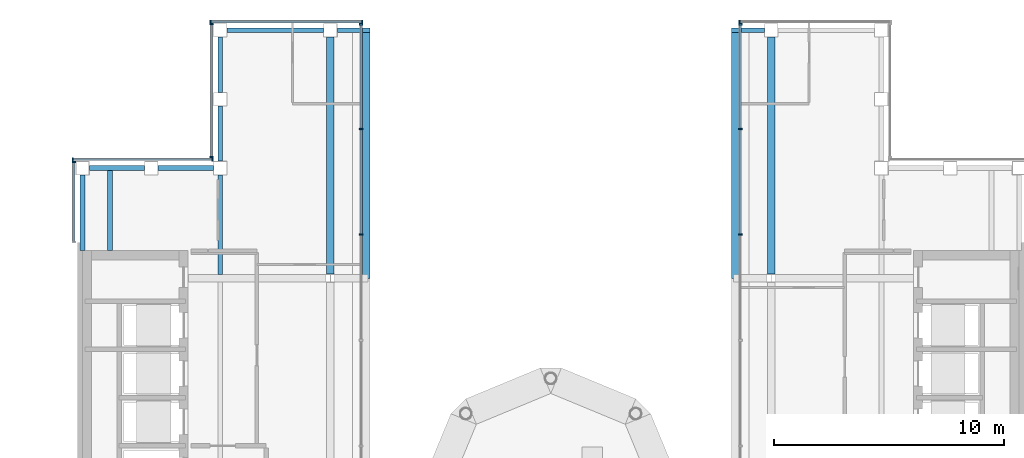
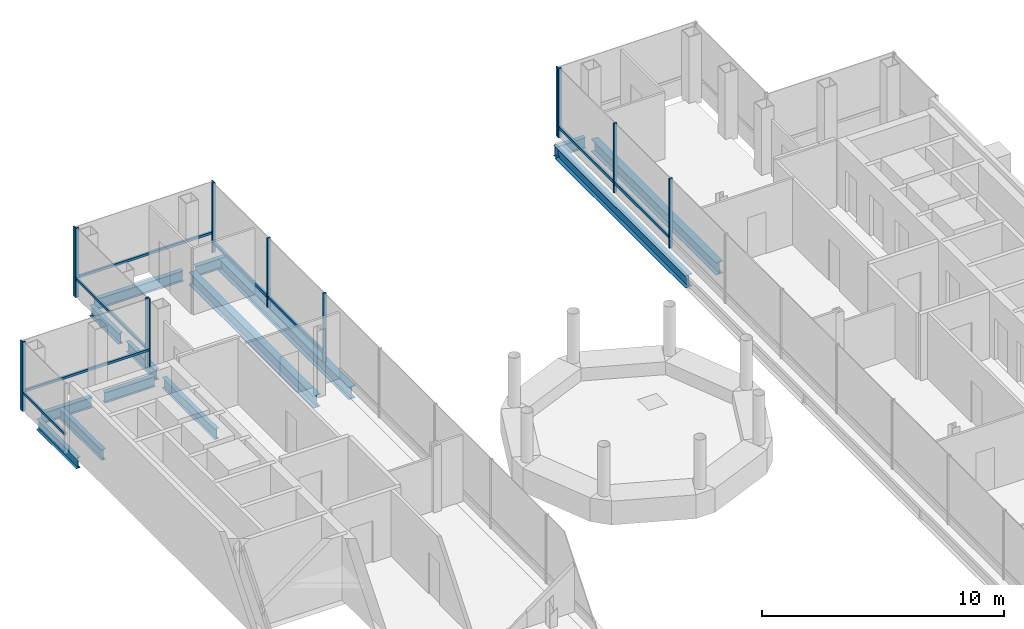
# One storey, part 8 of 16: 22 members, 14 beams, 7 elements without a shape of their own.
"""IFC4 building model written with IfcOpenShell, lengths in metres."""

from ifc_helpers import new_model, si_unit, direction, frame, origin, origin_2d, place, context, subcontext, project, spatial, rectangle, i_section, extrude, material, material_profile, profile_set, type_object, element, aggregate, save


model = new_model("IFC4")

# Units and contexts
model_context = context("Model", 3, precision=1e-05, world=origin(), true_north=direction((0.0, 1.0)))
body_context = subcontext(model_context, "Body", "Model", "MODEL_VIEW")
ifc_project = project(units=[si_unit("LENGTHUNIT", "METRE"), si_unit("AREAUNIT", "SQUARE_METRE"), si_unit("VOLUMEUNIT", "CUBIC_METRE"), si_unit("PLANEANGLEUNIT", "RADIAN"), si_unit("MASSUNIT", "GRAM", prefix="KILO")], contexts=[model_context])

# Site, building, storey
site_placement = place(None, origin())
site = spatial("IfcSite", under=ifc_project, at=site_placement, CompositionType="ELEMENT")
building_placement = place(site_placement, origin())
building = spatial("IfcBuilding", under=site, at=building_placement, Name="Cobrizo Arcos Hotel Tower", CompositionType="ELEMENT")
storey_placement = place(building_placement, frame((0.0, 0.0, 272.5)))
storey = spatial("IfcBuildingStorey", under=building, at=storey_placement, Name="L72", CompositionType="ELEMENT", Elevation=272.5)

# Curtain wall, member
ifc_material_1 = material(Name="Aluminium 6063-T6 anodised bronze", Category="aluminium")
curtain_wall_type_1 = type_object("IfcCurtainWallType", Name="CW-A guest facade", PredefinedType="NOTDEFINED", material=ifc_material_1)
curtain_wall_1_placement = place(storey_placement, origin())
curtain_wall_1 = element("IfcCurtainWall", 1, at=curtain_wall_1_placement, inside=storey, type_object=curtain_wall_type_1, Name="CW-A L72 N face", PredefinedType="NOTDEFINED")
ifc_material_profile_1 = material_profile(ifc_material_1, rectangle(XDim=0.14990234375, YDim=0.06005859375, at=origin_2d()), Name="CW-A mullion 150x60")
ifc_profile_set_1 = profile_set([ifc_material_profile_1], Name="Aluminium 6063-T6 anodised bronze")
member_type_1 = type_object("IfcMemberType", Name="CW-A mullion 150x60", PredefinedType="MULLION", material=ifc_profile_set_1)
member_1_placement = place(storey_placement, frame((8.215087890625, 20.77490234375, 0.0), z_axis=(0.0, 0.0, 1.0), x_axis=(0.0, 1.0, 0.0)))
member_1 = element("IfcMember", 2, at=member_1_placement, type_object=member_type_1, Name="CW-A mullion 2", PredefinedType="MULLION", context=body_context, shape_type="SweptSolid", body=[
    extrude(rectangle(XDim=0.14990234375, YDim=0.06005859375, at=origin_2d()), origin(), (0.0, 0.0, 1.0), 3.5),
])
aggregate(curtain_wall_1, [member_1])

# Curtain wall, members
curtain_wall_2_placement = place(storey_placement, origin())
curtain_wall_2 = element("IfcCurtainWall", 3, at=curtain_wall_2_placement, inside=storey, type_object=curtain_wall_type_1, Name="CW-A L72 N face", PredefinedType="NOTDEFINED")
member_2_placement = place(storey_placement, frame((-8.215087890625, 20.77490234375, 0.0), z_axis=(0.0, 0.0, 1.0), x_axis=(0.0, 1.0, 0.0)))
member_2 = element("IfcMember", 4, at=member_2_placement, type_object=member_type_1, Name="CW-A mullion 1", PredefinedType="MULLION", context=body_context, shape_type="SweptSolid", body=[
    extrude(rectangle(XDim=0.14990234375, YDim=0.06005859375, at=origin_2d()), origin(), (0.0, 0.0, 1.0), 3.5),
])
member_3_placement = place(storey_placement, frame((-14.820068359375, 20.77490234375, 0.0), z_axis=(0.0, 0.0, 1.0), x_axis=(0.0, 1.0, 0.0)))
member_3 = element("IfcMember", 5, at=member_3_placement, type_object=member_type_1, Name="CW-A mullion 2", PredefinedType="MULLION", context=body_context, shape_type="SweptSolid", body=[
    extrude(rectangle(XDim=0.14990234375, YDim=0.06005859375, at=origin_2d()), origin(), (0.0, 0.0, 1.0), 3.5),
])

curtain_wall_3_placement = place(storey_placement, origin())
curtain_wall_3 = element("IfcCurtainWall", 6, at=curtain_wall_3_placement, inside=storey, type_object=curtain_wall_type_1, Name="CW-A L72 W face", PredefinedType="NOTDEFINED")
member_4_placement = place(storey_placement, frame((-14.77490234375, 20.669921875, 0.0), z_axis=(0.0, 0.0, 1.0), x_axis=(-1.0, 0.0, 0.0)))
member_4 = element("IfcMember", 7, at=member_4_placement, type_object=member_type_1, Name="CW-A mullion 1", PredefinedType="MULLION", context=body_context, shape_type="SweptSolid", body=[
    extrude(rectangle(XDim=0.14990234375, YDim=0.06005859375, at=origin_2d()), origin(), (0.0, 0.0, 1.0), 3.5),
])
member_5_placement = place(storey_placement, frame((-14.77490234375, 14.8798828125, 0.0), z_axis=(0.0, 0.0, 1.0), x_axis=(-1.0, 0.0, 0.0)))
member_5 = element("IfcMember", 8, at=member_5_placement, type_object=member_type_1, Name="CW-A mullion 2", PredefinedType="MULLION", context=body_context, shape_type="SweptSolid", body=[
    extrude(rectangle(XDim=0.14990234375, YDim=0.06005859375, at=origin_2d()), origin(), (0.0, 0.0, 1.0), 3.5),
])

curtain_wall_4_placement = place(storey_placement, origin())
curtain_wall_4 = element("IfcCurtainWall", 9, at=curtain_wall_4_placement, inside=storey, type_object=curtain_wall_type_1, Name="CW-A L72 N face", PredefinedType="NOTDEFINED")
member_6_placement = place(storey_placement, frame((-14.72998046875, 14.77490234375, 0.0), z_axis=(0.0, 0.0, 1.0), x_axis=(0.0, 1.0, 0.0)))
member_6 = element("IfcMember", 10, at=member_6_placement, type_object=member_type_1, Name="CW-A mullion 1", PredefinedType="MULLION", context=body_context, shape_type="SweptSolid", body=[
    extrude(rectangle(XDim=0.14990234375, YDim=0.06005859375, at=origin_2d()), origin(), (0.0, 0.0, 1.0), 3.5),
])
member_7_placement = place(storey_placement, frame((-20.820068359375, 14.77490234375, 0.0), z_axis=(0.0, 0.0, 1.0), x_axis=(0.0, 1.0, 0.0)))
member_7 = element("IfcMember", 11, at=member_7_placement, type_object=member_type_1, Name="CW-A mullion 2", PredefinedType="MULLION", context=body_context, shape_type="SweptSolid", body=[
    extrude(rectangle(XDim=0.14990234375, YDim=0.06005859375, at=origin_2d()), origin(), (0.0, 0.0, 1.0), 3.5),
])

# Curtain wall, member
curtain_wall_5_placement = place(storey_placement, origin())
curtain_wall_5 = element("IfcCurtainWall", 12, at=curtain_wall_5_placement, inside=storey, type_object=curtain_wall_type_1, Name="CW-A L72 W face", PredefinedType="NOTDEFINED")
member_8_placement = place(storey_placement, frame((-20.77490234375, 14.669921875, 0.0), z_axis=(0.0, 0.0, 1.0), x_axis=(-1.0, 0.0, 0.0)))
member_8 = element("IfcMember", 13, at=member_8_placement, type_object=member_type_1, Name="CW-A mullion 1", PredefinedType="MULLION", context=body_context, shape_type="SweptSolid", body=[
    extrude(rectangle(XDim=0.14990234375, YDim=0.06005859375, at=origin_2d()), origin(), (0.0, 0.0, 1.0), 3.5),
])

# Member
ifc_material_profile_2 = material_profile(ifc_material_1, rectangle(XDim=0.10009765625, YDim=0.1201171875, at=origin_2d()), Name="CW-A transom 120x100")
ifc_profile_set_2 = profile_set([ifc_material_profile_2], Name="Aluminium 6063-T6 anodised bronze")
member_type_2 = type_object("IfcMemberType", Name="CW-A transom 120x100", PredefinedType="USERDEFINED", material=ifc_profile_set_2)
member_9_placement = place(storey_placement, frame((-8.244873046875, 20.77490234375, 0.929931640625), z_axis=(-1.0, 0.0, 0.0), x_axis=(0.0, -1.0, 0.0)))
member_9 = element("IfcMember", 14, at=member_9_placement, type_object=member_type_2, Name="CW-A transom 2283", ObjectType="TRANSOM", PredefinedType="USERDEFINED", context=body_context, shape_type="SweptSolid", body=[
    extrude(rectangle(XDim=0.10009765625, YDim=0.1201171875, at=origin_2d()), origin(), (0.0, 0.0, 1.0), 6.545166015625),
])

aggregate(curtain_wall_2, [member_2, member_3, member_9])

member_10_placement = place(storey_placement, frame((-14.77490234375, 20.639892578125, 0.929931640625), z_axis=(0.0, -1.0, 0.0), x_axis=(1.0, 0.0, 0.0)))
member_10 = element("IfcMember", 15, at=member_10_placement, type_object=member_type_2, Name="CW-A transom 2284", ObjectType="TRANSOM", PredefinedType="USERDEFINED", context=body_context, shape_type="SweptSolid", body=[
    extrude(rectangle(XDim=0.10009765625, YDim=0.1201171875, at=origin_2d()), origin(), (0.0, 0.0, 1.0), 5.72998046875),
])

aggregate(curtain_wall_3, [member_4, member_5, member_10])

member_11_placement = place(storey_placement, frame((-14.760009765625, 14.77490234375, 0.929931640625), z_axis=(-1.0, 0.0, 0.0), x_axis=(0.0, -1.0, 0.0)))
member_11 = element("IfcMember", 16, at=member_11_placement, type_object=member_type_2, Name="CW-A transom 2285", ObjectType="TRANSOM", PredefinedType="USERDEFINED", context=body_context, shape_type="SweptSolid", body=[
    extrude(rectangle(XDim=0.10009765625, YDim=0.1201171875, at=origin_2d()), origin(), (0.0, 0.0, 1.0), 6.030029296875),
])

aggregate(curtain_wall_4, [member_6, member_7, member_11])

member_12_placement = place(storey_placement, frame((-20.77490234375, 14.639892578125, 0.929931640625), z_axis=(0.0, -1.0, 0.0), x_axis=(1.0, 0.0, 0.0)))
member_12 = element("IfcMember", 17, at=member_12_placement, type_object=member_type_2, Name="CW-A transom 2286", ObjectType="TRANSOM", PredefinedType="USERDEFINED", context=body_context, shape_type="SweptSolid", body=[
    extrude(rectangle(XDim=0.10009765625, YDim=0.1201171875, at=origin_2d()), origin(), (0.0, 0.0, 1.0), 3.429931640625),
])

aggregate(curtain_wall_5, [member_8, member_12])

# Curtain wall, members
curtain_wall_type_2 = type_object("IfcCurtainWallType", Name="CW-C arch infill and crown glazing", PredefinedType="NOTDEFINED", material=ifc_material_1)
curtain_wall_6_placement = place(storey_placement, origin())
curtain_wall_6 = element("IfcCurtainWall", 18, at=curtain_wall_6_placement, inside=storey, type_object=curtain_wall_type_2, Name="CW-C L72 W face", PredefinedType="NOTDEFINED")
ifc_material_profile_3 = material_profile(ifc_material_1, rectangle(XDim=0.14990234375, YDim=0.070068359375, at=origin_2d()), Name="CW-C mullion 150x70")
ifc_profile_set_3 = profile_set([ifc_material_profile_3], Name="Aluminium 6063-T6 anodised bronze")
member_type_3 = type_object("IfcMemberType", Name="CW-C mullion 150x70", PredefinedType="MULLION", material=ifc_profile_set_3)
member_13_placement = place(storey_placement, frame((8.260009765625, 20.6650390625, 0.0), z_axis=(0.0, 0.0, 1.0), x_axis=(-1.0, 0.0, 0.0)))
member_13 = element("IfcMember", 19, at=member_13_placement, type_object=member_type_3, Name="CW-C mullion 1", PredefinedType="MULLION", context=body_context, shape_type="SweptSolid", body=[
    extrude(rectangle(XDim=0.14990234375, YDim=0.070068359375, at=origin_2d()), origin(), (0.0, 0.0, 1.0), 3.5),
])
member_14_placement = place(storey_placement, frame((8.260009765625, 16.10009765625, 0.0), z_axis=(0.0, 0.0, 1.0), x_axis=(-1.0, 0.0, 0.0)))
member_14 = element("IfcMember", 20, at=member_14_placement, type_object=member_type_3, Name="CW-C mullion 2", PredefinedType="MULLION", context=body_context, shape_type="SweptSolid", body=[
    extrude(rectangle(XDim=0.14990234375, YDim=0.070068359375, at=origin_2d()), origin(), (0.0, 0.0, 1.0), 3.5),
])
member_15_placement = place(storey_placement, frame((8.260009765625, 11.5, 0.0), z_axis=(0.0, 0.0, 1.0), x_axis=(-1.0, 0.0, 0.0)))
member_15 = element("IfcMember", 21, at=member_15_placement, type_object=member_type_3, Name="CW-C mullion 3", PredefinedType="MULLION", context=body_context, shape_type="SweptSolid", body=[
    extrude(rectangle(XDim=0.14990234375, YDim=0.070068359375, at=origin_2d()), origin(), (0.0, 0.0, 1.0), 3.5),
])

curtain_wall_7_placement = place(storey_placement, origin())
curtain_wall_7 = element("IfcCurtainWall", 22, at=curtain_wall_7_placement, inside=storey, type_object=curtain_wall_type_2, Name="CW-C L72 E face", PredefinedType="NOTDEFINED")
member_16_placement = place(storey_placement, frame((-8.260009765625, 11.5, 0.0), z_axis=(0.0, 0.0, 1.0), x_axis=(1.0, 0.0, 0.0)))
member_16 = element("IfcMember", 23, at=member_16_placement, type_object=member_type_3, Name="CW-C mullion 8", PredefinedType="MULLION", context=body_context, shape_type="SweptSolid", body=[
    extrude(rectangle(XDim=0.14990234375, YDim=0.070068359375, at=origin_2d()), origin(), (0.0, 0.0, 1.0), 3.5),
])
member_17_placement = place(storey_placement, frame((-8.260009765625, 16.10009765625, 0.0), z_axis=(0.0, 0.0, 1.0), x_axis=(1.0, 0.0, 0.0)))
member_17 = element("IfcMember", 24, at=member_17_placement, type_object=member_type_3, Name="CW-C mullion 9", PredefinedType="MULLION", context=body_context, shape_type="SweptSolid", body=[
    extrude(rectangle(XDim=0.14990234375, YDim=0.070068359375, at=origin_2d()), origin(), (0.0, 0.0, 1.0), 3.5),
])
member_18_placement = place(storey_placement, frame((-8.260009765625, 20.6650390625, 0.0), z_axis=(0.0, 0.0, 1.0), x_axis=(1.0, 0.0, 0.0)))
member_18 = element("IfcMember", 25, at=member_18_placement, type_object=member_type_3, Name="CW-C mullion 10", PredefinedType="MULLION", context=body_context, shape_type="SweptSolid", body=[
    extrude(rectangle(XDim=0.14990234375, YDim=0.070068359375, at=origin_2d()), origin(), (0.0, 0.0, 1.0), 3.5),
])

# Member
ifc_material_profile_4 = material_profile(ifc_material_1, rectangle(XDim=0.10009765625, YDim=0.139892578125, at=origin_2d()), Name="CW-C transom 140x100")
ifc_profile_set_4 = profile_set([ifc_material_profile_4], Name="Aluminium 6063-T6 anodised bronze")
member_type_4 = type_object("IfcMemberType", Name="CW-C transom 140x100", PredefinedType="USERDEFINED", material=ifc_profile_set_4)
member_19_placement = place(storey_placement, frame((8.260009765625, 20.6298828125, 0.5), z_axis=(0.0, -1.0, 0.0), x_axis=(1.0, 0.0, 0.0)))
member_19 = element("IfcMember", 26, at=member_19_placement, type_object=member_type_4, Name="CW-C transom 2257", ObjectType="TRANSOM", PredefinedType="USERDEFINED", context=body_context, shape_type="SweptSolid", body=[
    extrude(rectangle(XDim=0.10009765625, YDim=0.139892578125, at=origin_2d()), origin(), (0.0, 0.0, 1.0), 4.494873046875),
])

member_20_placement = place(storey_placement, frame((8.260009765625, 16.06494140625, 0.5), z_axis=(0.0, -1.0, 0.0), x_axis=(1.0, 0.0, 0.0)))
member_20 = element("IfcMember", 27, at=member_20_placement, type_object=member_type_4, Name="CW-C transom 2258", ObjectType="TRANSOM", PredefinedType="USERDEFINED", context=body_context, shape_type="SweptSolid", body=[
    extrude(rectangle(XDim=0.10009765625, YDim=0.139892578125, at=origin_2d()), origin(), (0.0, 0.0, 1.0), 4.530029296875),
])

aggregate(curtain_wall_6, [member_13, member_14, member_15, member_19, member_20])

member_21_placement = place(storey_placement, frame((-8.260009765625, 11.534912109375, 0.5), z_axis=(0.0, 1.0, 0.0), x_axis=(-1.0, 0.0, 0.0)))
member_21 = element("IfcMember", 28, at=member_21_placement, type_object=member_type_4, Name="CW-C transom 2281", ObjectType="TRANSOM", PredefinedType="USERDEFINED", context=body_context, shape_type="SweptSolid", body=[
    extrude(rectangle(XDim=0.10009765625, YDim=0.139892578125, at=origin_2d()), origin(), (0.0, 0.0, 1.0), 4.530029296875),
])

member_22_placement = place(storey_placement, frame((-8.260009765625, 16.135009765625, 0.5), z_axis=(0.0, 1.0, 0.0), x_axis=(-1.0, 0.0, 0.0)))
member_22 = element("IfcMember", 29, at=member_22_placement, type_object=member_type_4, Name="CW-C transom 2282", ObjectType="TRANSOM", PredefinedType="USERDEFINED", context=body_context, shape_type="SweptSolid", body=[
    extrude(rectangle(XDim=0.10009765625, YDim=0.139892578125, at=origin_2d()), origin(), (0.0, 0.0, 1.0), 4.494873046875),
])

aggregate(curtain_wall_7, [member_16, member_17, member_18, member_21, member_22])

# Beams
ifc_material_2 = material(Name="Steel ASTM A992 Grade 50", Category="steel")
ifc_material_profile_5 = material_profile(ifc_material_2, i_section(OverallWidth=0.209228515625, OverallDepth=0.533447265625, WebThickness=0.01025390625, FlangeThickness=0.015625, at=origin_2d()), Name="W21X62")
ifc_profile_set_5 = profile_set([ifc_material_profile_5], Name="Steel ASTM A992 Grade 50")
beam_type_1 = type_object("IfcBeamType", Name="W21X62 joist", PredefinedType="JOIST", material=ifc_profile_set_5)
beam_1_placement = place(storey_placement, frame((-19.199951171875, 10.81005859375, -0.416748046875), z_axis=(0.0, 1.0, 0.0), x_axis=(-1.0, 0.0, 0.0)))
element("IfcBeam", 30, at=beam_1_placement, inside=storey, type_object=beam_type_1, Name="Floor joist J1, L72, no. 002", PredefinedType="JOIST", context=body_context, shape_type="SweptSolid", body=[
    extrude(i_section(OverallWidth=0.209228515625, OverallDepth=0.533447265625, WebThickness=0.01025390625, FlangeThickness=0.015625, at=origin_2d()), origin(), (0.0, 0.0, 1.0), 3.5),
])
beam_2_placement = place(storey_placement, frame((-14.39990234375, 9.763916015625, -0.416748046875), z_axis=(0.0, 1.0, 0.0), x_axis=(-1.0, 0.0, 0.0)))
element("IfcBeam", 31, at=beam_2_placement, inside=storey, type_object=beam_type_1, Name="Floor joist J1, L72, no. 006", PredefinedType="JOIST", context=body_context, shape_type="SweptSolid", body=[
    extrude(i_section(OverallWidth=0.209228515625, OverallDepth=0.533447265625, WebThickness=0.01025390625, FlangeThickness=0.015625, at=origin_2d()), origin(), (0.0, 0.0, 1.0), 4.336181640625),
])
ifc_material_profile_6 = material_profile(ifc_material_2, i_section(OverallWidth=0.209228515625, OverallDepth=0.533447265625, WebThickness=0.01025390625, FlangeThickness=0.015625, at=origin_2d()), Name="W21X62")
ifc_profile_set_6 = profile_set([ifc_material_profile_6], Name="Steel ASTM A992 Grade 50")
beam_type_2 = type_object("IfcBeamType", Name="W21X62 spandrel", PredefinedType="SPANDREL", material=ifc_profile_set_6)
beam_3_placement = place(storey_placement, frame((-20.39990234375, 10.81005859375, -0.416748046875), z_axis=(0.0, 1.0, 0.0), x_axis=(-1.0, 0.0, 0.0)))
element("IfcBeam", 32, at=beam_3_placement, inside=storey, type_object=beam_type_2, Name="Spandrel beam W21X62, L72, no. 002", PredefinedType="SPANDREL", context=body_context, shape_type="SweptSolid", body=[
    extrude(i_section(OverallWidth=0.209228515625, OverallDepth=0.533447265625, WebThickness=0.01025390625, FlangeThickness=0.015625, at=origin_2d()), origin(), (0.0, 0.0, 1.0), 3.2900390625),
])
for number, where, z_axis, x_axis, name in (
    (33, (-20.10009765625, 14.39990234375, -0.416748046875), (1.0, 0.0, 0.0), (0.0, 1.0, 0.0), "Spandrel beam W21X62, L72, no. 003"),
    (34, (-17.10009765625, 14.39990234375, -0.416748046875), (1.0, 0.0, 0.0), (0.0, 1.0, 0.0), "Spandrel beam W21X62, L72, no. 004"),
    (35, (-14.39990234375, 14.699951171875, -0.416748046875), (0.0, 1.0, 0.0), (-1.0, 0.0, 0.0), "Spandrel beam W21X62, L72, no. 005"),
    (36, (-14.39990234375, 17.699951171875, -0.416748046875), (0.0, 1.0, 0.0), (-1.0, 0.0, 0.0), "Spandrel beam W21X62, L72, no. 006"),
):
    element("IfcBeam", number, at=place(storey_placement, frame(where, z_axis=z_axis, x_axis=x_axis)), inside=storey, type_object=beam_type_2, Name=name, PredefinedType="SPANDREL", context=body_context, shape_type="SweptSolid", body=[
        extrude(i_section(OverallWidth=0.209228515625, OverallDepth=0.533447265625, WebThickness=0.01025390625, FlangeThickness=0.015625, at=origin_2d()), origin(), (0.0, 0.0, 1.0), 2.400146484375),
    ])
beam_4_placement = place(storey_placement, frame((-14.10009765625, 20.39990234375, -0.416748046875), z_axis=(1.0, 0.0, 0.0), x_axis=(0.0, 1.0, 0.0)))
element("IfcBeam", 37, at=beam_4_placement, inside=storey, type_object=beam_type_2, Name="Spandrel beam W21X62, L72, no. 007", PredefinedType="SPANDREL", context=body_context, shape_type="SweptSolid", body=[
    extrude(i_section(OverallWidth=0.209228515625, OverallDepth=0.533447265625, WebThickness=0.01025390625, FlangeThickness=0.015625, at=origin_2d()), origin(), (0.0, 0.0, 1.0), 4.2001953125),
])
for number, where, z_axis, x_axis, name in (
    (38, (-9.300048828125, 20.39990234375, -0.416748046875), (1.0, 0.0, 0.0), (0.0, 1.0, 0.0), "Spandrel beam W21X62, L72, no. 008"),
    (39, (7.8720703125, 20.39990234375, -0.416748046875), (1.0, 0.0, 0.0), (0.0, 1.0, 0.0), "Spandrel beam W21X62, L72, no. 015"),
):
    element("IfcBeam", number, at=place(storey_placement, frame(where, z_axis=z_axis, x_axis=x_axis)), inside=storey, type_object=beam_type_2, Name=name, PredefinedType="SPANDREL", context=body_context, shape_type="SweptSolid", body=[
        extrude(i_section(OverallWidth=0.209228515625, OverallDepth=0.533447265625, WebThickness=0.01025390625, FlangeThickness=0.015625, at=origin_2d()), origin(), (0.0, 0.0, 1.0), 1.427978515625),
    ])
ifc_material_profile_7 = material_profile(ifc_material_2, i_section(OverallWidth=0.32763671875, OverallDepth=0.622314453125, WebThickness=0.015380859375, FlangeThickness=0.0244140625, at=origin_2d()), Name="W24X131")
ifc_profile_set_7 = profile_set([ifc_material_profile_7], Name="Steel ASTM A992 Grade 50")
beam_type_3 = type_object("IfcBeamType", Name="W24X131 edge beam", PredefinedType="BEAM", material=ifc_profile_set_7)
for number, where, z_axis, x_axis, name in (
    (40, (-8.035888671875, 20.39990234375, -0.461181640625), (0.0, -1.0, 0.0), (1.0, 0.0, 0.0), "Edge beam EB1, L72, no. 001"),
    (41, (8.035888671875, 9.60009765625, -0.461181640625), (0.0, 1.0, 0.0), (-1.0, 0.0, 0.0), "Edge beam EB1, L72, no. 008"),
):
    element("IfcBeam", number, at=place(storey_placement, frame(where, z_axis=z_axis, x_axis=x_axis)), inside=storey, type_object=beam_type_3, Name=name, PredefinedType="BEAM", context=body_context, shape_type="SweptSolid", body=[
        extrude(i_section(OverallWidth=0.32763671875, OverallDepth=0.622314453125, WebThickness=0.015380859375, FlangeThickness=0.0244140625, at=origin_2d()), origin(), (0.0, 0.0, 1.0), 10.7998046875),
    ])
ifc_material_profile_8 = material_profile(ifc_material_2, i_section(OverallWidth=0.32763671875, OverallDepth=0.622314453125, WebThickness=0.015380859375, FlangeThickness=0.0244140625, at=origin_2d()), Name="W24X131")
ifc_profile_set_8 = profile_set([ifc_material_profile_8], Name="Steel ASTM A992 Grade 50")
beam_type_4 = type_object("IfcBeamType", Name="W24X131 girder", PredefinedType="BEAM", material=ifc_profile_set_8)
for number, where, z_axis, x_axis, name in (
    (42, (-9.60009765625, 9.7841796875, -0.461181640625), (0.0, 1.0, 0.0), (-1.0, 0.0, 0.0), "Floor girder G1, L72, no. 016"),
    (43, (9.60009765625, 9.7841796875, -0.461181640625), (0.0, 1.0, 0.0), (-1.0, 0.0, 0.0), "Floor girder G1, L72, no. 020"),
):
    element("IfcBeam", number, at=place(storey_placement, frame(where, z_axis=z_axis, x_axis=x_axis)), inside=storey, type_object=beam_type_4, Name=name, PredefinedType="BEAM", context=body_context, shape_type="SweptSolid", body=[
        extrude(i_section(OverallWidth=0.32763671875, OverallDepth=0.622314453125, WebThickness=0.015380859375, FlangeThickness=0.0244140625, at=origin_2d()), origin(), (0.0, 0.0, 1.0), 10.31591796875),
    ])

save(model, "model.ifc")
